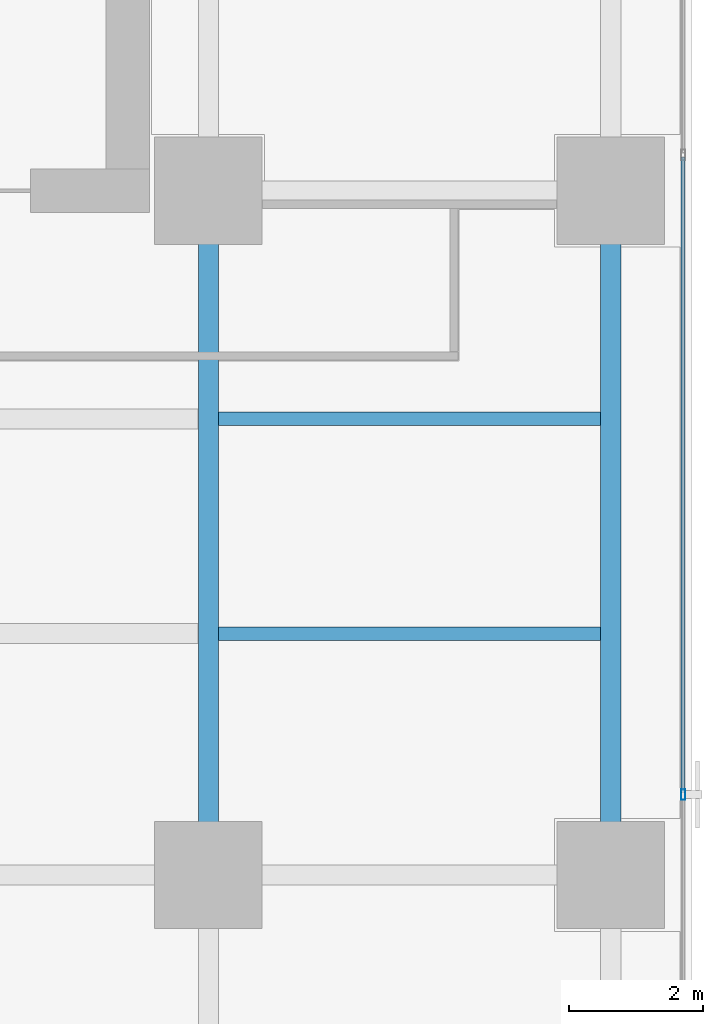
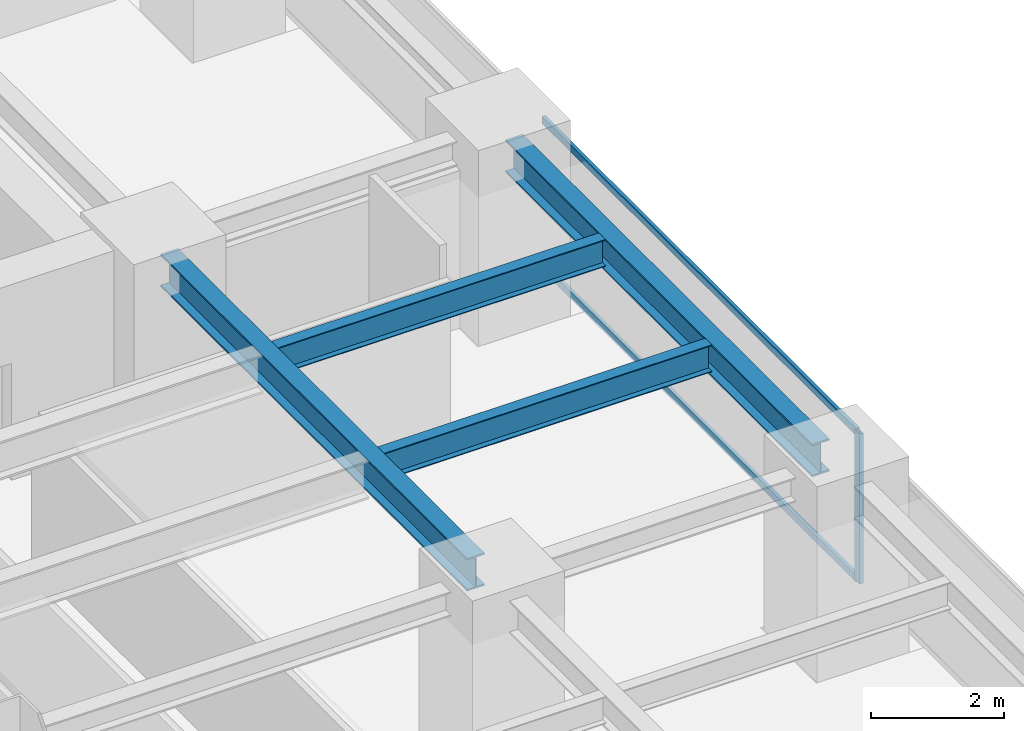
# One storey, part 13 of 27: 4 beams, 3 members, 1 element without a shape of its own.
"""IFC4 building model written with IfcOpenShell, lengths in metres."""

from ifc_helpers import new_model, si_unit, direction, frame, origin, origin_2d, place, context, subcontext, project, spatial, hollow_rectangle, i_section, extrude, source, transform, mapped, material, layer, layer_set, material_profile, profile_set, type_object, element, aggregate, save


model = new_model("IFC4")

# Units and contexts
model_context = context("Model", 3, precision=1e-05, world=origin(), true_north=direction((0.0, 1.0)))
body_context = subcontext(model_context, "Body", "Model", "MODEL_VIEW")
ifc_project = project(units=[si_unit("LENGTHUNIT", "METRE"), si_unit("AREAUNIT", "SQUARE_METRE"), si_unit("VOLUMEUNIT", "CUBIC_METRE"), si_unit("PLANEANGLEUNIT", "RADIAN"), si_unit("MASSUNIT", "GRAM", prefix="KILO")], contexts=[model_context])

# Site, building, storey
site_placement = place(None, origin())
site = spatial("IfcSite", under=ifc_project, at=site_placement, CompositionType="ELEMENT")
building_placement = place(site_placement, origin())
building = spatial("IfcBuilding", under=site, at=building_placement, Name="Sumidabori Civic Tower", CompositionType="ELEMENT")
storey_placement = place(building_placement, frame((0.0, 0.0, 135.199951171875)))
storey = spatial("IfcBuildingStorey", under=building, at=storey_placement, Name="L34", CompositionType="ELEMENT", Elevation=135.199951171875)

# Beams
ifc_material_1 = material(Name="Steel SN490", Category="steel")
ifc_material_profile_1 = material_profile(ifc_material_1, i_section(OverallWidth=0.300048828125, OverallDepth=0.60009765625, WebThickness=0.015380859375, FlangeThickness=0.030029296875, at=origin_2d()), Name="HE 600 B")
ifc_profile_set_1 = profile_set([ifc_material_profile_1], Name="Steel SN490")
beam_type_1 = type_object("IfcBeamType", Name="BM-GIRD-600", PredefinedType="BEAM", material=ifc_profile_set_1)
shared_shape_1 = source(origin(), body_context, "Body", "SweptSolid", [
    extrude(i_section(OverallWidth=0.300048828125, OverallDepth=0.60009765625, WebThickness=0.015380859375, FlangeThickness=0.030029296875, at=origin_2d()), origin(), (0.0, 0.0, 1.0), 9.239990234375),
])
for number, where, z_axis, x_axis, name in (
    (1, (16.800048828125, 0.47998046875, 3.080078125), (0.0, 1.0, 0.0), (-1.0, 0.0, 0.0), "Primary Girder L34 GY-34"),
    (2, (22.800048828125, 0.47998046875, 3.080078125), (0.0, 1.0, 0.0), (-1.0, 0.0, 0.0), "Primary Girder L34 GY-37"),
):
    element("IfcBeam", number, at=place(storey_placement, frame(where, z_axis=z_axis, x_axis=x_axis)), inside=storey, type_object=beam_type_1, Name=name, PredefinedType="BEAM", context=body_context, shape_type="MappedRepresentation", body=[
        mapped(shared_shape_1, transform((0.0, 0.0, 0.0), x_axis=(1.0, 0.0, 0.0), y_axis=(0.0, 1.0, 0.0), z_axis=(0.0, 0.0, 1.0), scale=1.0)),
    ])
ifc_material_profile_2 = material_profile(ifc_material_1, i_section(OverallWidth=0.199951171875, OverallDepth=0.5, WebThickness=0.01025390625, FlangeThickness=0.01611328125, at=origin_2d()), Name="IPE 500")
ifc_profile_set_2 = profile_set([ifc_material_profile_2], Name="Steel SN490")
beam_type_2 = type_object("IfcBeamType", Name="BM-JST-500", PredefinedType="JOIST", material=ifc_profile_set_2)
shared_shape_2 = source(origin(), body_context, "Body", "SweptSolid", [
    extrude(i_section(OverallWidth=0.199951171875, OverallDepth=0.5, WebThickness=0.01025390625, FlangeThickness=0.01611328125, at=origin_2d()), origin(), (0.0, 0.0, 1.0), 5.699951171875),
])
for number, where, z_axis, x_axis, name in (
    (3, (16.949951171875, 3.60009765625, 3.130126953125), (1.0, 0.0, 0.0), (0.0, 1.0, 0.0), "Outer Bay Floor Joist L34 JSTO-44"),
    (4, (16.949951171875, 6.800048828125, 3.130126953125), (1.0, 0.0, 0.0), (0.0, 1.0, 0.0), "Outer Bay Floor Joist L34 JSTO-46"),
):
    element("IfcBeam", number, at=place(storey_placement, frame(where, z_axis=z_axis, x_axis=x_axis)), inside=storey, type_object=beam_type_2, Name=name, PredefinedType="JOIST", context=body_context, shape_type="MappedRepresentation", body=[
        mapped(shared_shape_2, transform((0.0, 0.0, 0.0), x_axis=(1.0, 0.0, 0.0), y_axis=(0.0, 1.0, 0.0), z_axis=(0.0, 0.0, 1.0), scale=1.0)),
    ])

# Curtain wall, members
ifc_material_2 = material(Name="Anodised Bronze Aluminium AW-6063-T6", Category="aluminium")
ifc_layer = layer(ifc_material_2, 0.179931640625, Name="Anodised Bronze Aluminium AW-6063-T6")
ifc_layer_set = layer_set([ifc_layer], Name="Anodised Bronze Aluminium AW-6063-T6")
curtain_wall_type = type_object("IfcCurtainWallType", Name="CW-SYS-3", PredefinedType="NOTDEFINED", material=ifc_layer_set)
curtain_wall_placement = place(storey_placement, origin())
curtain_wall = element("IfcCurtainWall", 5, at=curtain_wall_placement, inside=storey, type_object=curtain_wall_type, Name="Curtain Wall CW:L34:R04", PredefinedType="NOTDEFINED")
ifc_material_profile_3 = material_profile(ifc_material_2, hollow_rectangle(XDim=0.06494140625, YDim=0.159912109375, WallThickness=0.0048828125, at=origin_2d()), Name="ALU MULLION 160x65")
ifc_profile_set_3 = profile_set([ifc_material_profile_3], Name="Anodised Bronze Aluminium AW-6063-T6")
member_type_1 = type_object("IfcMemberType", Name="CW-MUL-160", PredefinedType="MULLION", material=ifc_profile_set_3)
shared_shape_3 = source(origin(), body_context, "Body", "SweptSolid", [
    extrude(hollow_rectangle(XDim=0.06494140625, YDim=0.159912109375, WallThickness=0.0048828125, at=origin_2d()), origin(), (0.0, 0.0, 1.0), 2.760009765625),
])
member_1_placement = place(storey_placement, frame((23.8798828125, 1.199951171875, 0.0), z_axis=(0.0, 0.0, 1.0), x_axis=(-1.0, 0.0, 0.0)))
member_1 = element("IfcMember", 6, at=member_1_placement, type_object=member_type_1, Name="CW-3 mullion 3", PredefinedType="MULLION", context=body_context, shape_type="MappedRepresentation", body=[
    mapped(shared_shape_3, transform((0.0, 0.0, 0.0), x_axis=(1.0, 0.0, 0.0), y_axis=(0.0, 1.0, 0.0), z_axis=(0.0, 0.0, 1.0), scale=1.0)),
])
ifc_material_profile_4 = material_profile(ifc_material_2, hollow_rectangle(XDim=0.06005859375, YDim=0.1298828125, WallThickness=0.0048828125, at=origin_2d()), Name="ALU TRANSOM 130x60")
ifc_profile_set_4 = profile_set([ifc_material_profile_4], Name="Anodised Bronze Aluminium AW-6063-T6")
member_type_2 = type_object("IfcMemberType", Name="CW-TRN-130", PredefinedType="USERDEFINED", material=ifc_profile_set_4)
shared_shape_4 = source(origin(), body_context, "Body", "SweptSolid", [
    extrude(hollow_rectangle(XDim=0.06005859375, YDim=0.1298828125, WallThickness=0.0048828125, at=origin_2d()), origin(), (0.0, 0.0, 1.0), 9.469970703125),
])
member_2_placement = place(storey_placement, frame((23.8798828125, 1.232421875, 0.030029296875), z_axis=(0.0, 1.0, 0.0), x_axis=(-1.0, 0.0, 0.0)))
member_2 = element("IfcMember", 7, at=member_2_placement, type_object=member_type_2, Name="CW-3 transom 3.1", ObjectType="TRANSOM", PredefinedType="USERDEFINED", context=body_context, shape_type="MappedRepresentation", body=[
    mapped(shared_shape_4, transform((0.0, 0.0, 0.0), x_axis=(1.0, 0.0, 0.0), y_axis=(0.0, 1.0, 0.0), z_axis=(0.0, 0.0, 1.0), scale=1.0)),
])
member_3_placement = place(storey_placement, frame((23.8798828125, 1.232421875, 2.72998046875), z_axis=(0.0, 1.0, 0.0), x_axis=(-1.0, 0.0, 0.0)))
member_3 = element("IfcMember", 8, at=member_3_placement, type_object=member_type_2, Name="CW-3 transom 3.2", ObjectType="TRANSOM", PredefinedType="USERDEFINED", context=body_context, shape_type="MappedRepresentation", body=[
    mapped(shared_shape_4, transform((0.0, 0.0, 0.0), x_axis=(1.0, 0.0, 0.0), y_axis=(0.0, 1.0, 0.0), z_axis=(0.0, 0.0, 1.0), scale=1.0)),
])
aggregate(curtain_wall, [member_1, member_2, member_3])

save(model, "model.ifc")
